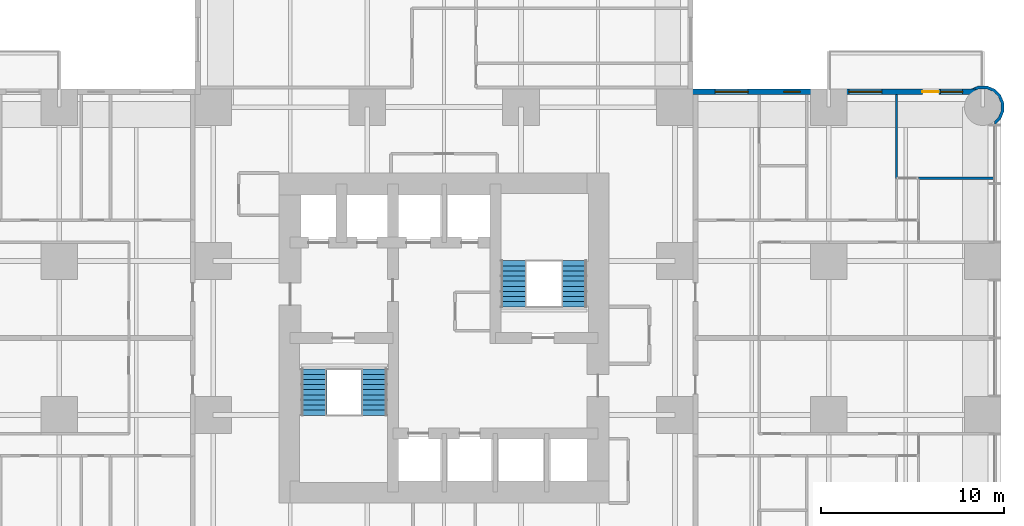
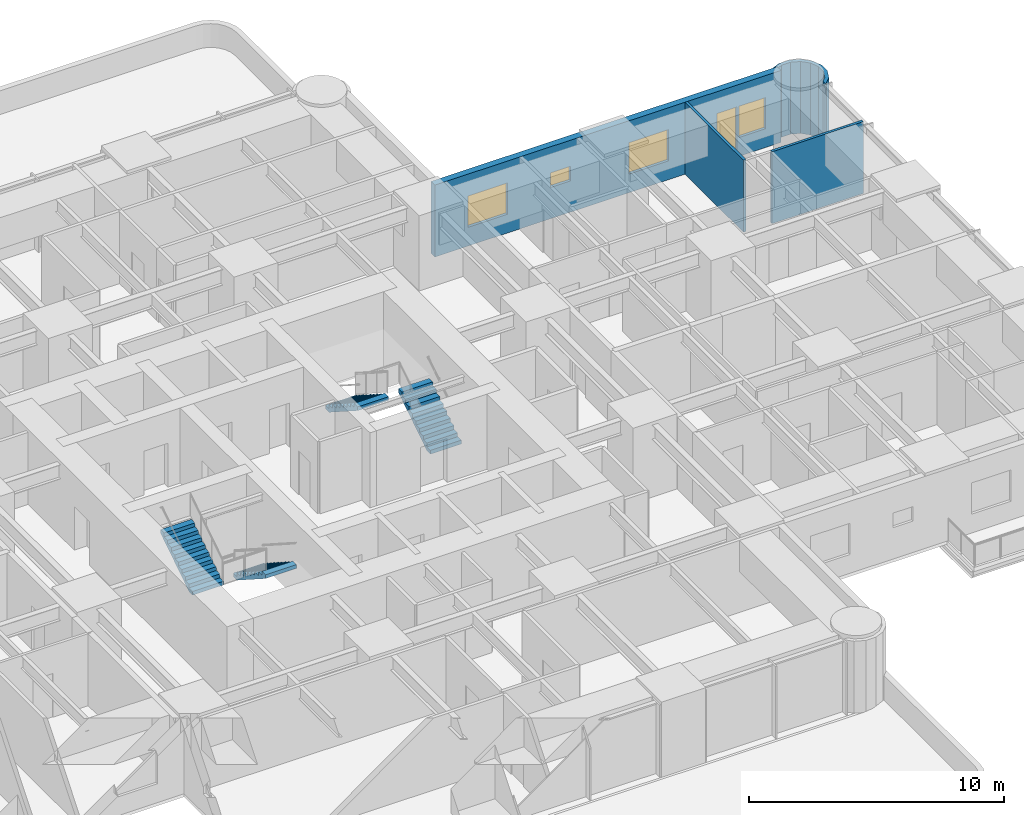
# One storey, part 12 of 14: 4 stair flights, 4 walls, 4 windows, 1 door, 5 openings, 2 elements without a shape of their own.
"""IFC4 building model written with IfcOpenShell, lengths in metres."""

from ifc_helpers import new_model, si_unit, direction, frame, frame_2d, origin, place, context, subcontext, project, spatial, polyline, rectangle, outline, extrude, material, layer, layer_set, type_object, element, fill, aggregate, save


model = new_model("IFC4")

# Units and contexts
model_context = context("Model", 3, precision=1e-05, world=origin(), true_north=direction((0.0, 1.0)))
body_context = subcontext(model_context, "Body", "Model", "MODEL_VIEW")
ifc_project = project(units=[si_unit("LENGTHUNIT", "METRE"), si_unit("AREAUNIT", "SQUARE_METRE"), si_unit("VOLUMEUNIT", "CUBIC_METRE"), si_unit("PLANEANGLEUNIT", "RADIAN"), si_unit("MASSUNIT", "GRAM", prefix="KILO")], contexts=[model_context])

# Site, building, storey
site_placement = place(None, origin())
site = spatial("IfcSite", under=ifc_project, at=site_placement, CompositionType="ELEMENT")
building_placement = place(site_placement, origin())
building = spatial("IfcBuilding", under=site, at=building_placement, Name="Torre Alcanfor", CompositionType="ELEMENT")
storey_placement = place(building_placement, frame((0.0, 0.0, 108.89990234375)))
storey = spatial("IfcBuildingStorey", under=building, at=storey_placement, Name="L27", CompositionType="ELEMENT", Elevation=108.89990234375)

# Walls
ifc_material_1 = material(Name="Gypsum board on steel studs", Category="steel")
ifc_layer_1 = layer(ifc_material_1, 0.1201171875)
ifc_layer_set_1 = layer_set([ifc_layer_1], Name="Apartment partition 120")
wall_type_1 = type_object("IfcWallType", Name="Apartment partition 120", PredefinedType="PARTITIONING", material=ifc_layer_set_1)
wall_1_placement = place(storey_placement, frame((54.10009765625, 38.114013671875, 0.0), z_axis=(0.0, 0.0, 1.0), x_axis=(0.0, 1.0, 0.0)))
element("IfcWall", 1, at=wall_1_placement, inside=storey, type_object=wall_type_1, Name="Partition L27-E1-BED3 / L27-E1-MASTER", PredefinedType="PARTITIONING", context=body_context, shape_type="SweptSolid", body=[
    extrude(rectangle(XDim=4.5859375, YDim=0.1201171875, at=frame_2d((2.29296875, 0.0))), origin(), (0.0, 0.0, 1.0), 3.4501953125),
])
wall_2_placement = place(storey_placement, frame((59.449951171875, 38.114013671875, 0.0), z_axis=(0.0, 0.0, 1.0), x_axis=(-1.0, 0.0, 0.0)))
element("IfcWall", 2, at=wall_2_placement, inside=storey, type_object=wall_type_1, Name="Partition L27-E1-BED2 / L27-E1-MASTER", PredefinedType="PARTITIONING", context=body_context, shape_type="SweptSolid", body=[
    extrude(rectangle(XDim=4.14990234375, YDim=0.1201171875, at=frame_2d((2.074951171875, 0.0))), origin(), (0.0, 0.0, 1.0), 3.4501953125),
])

# Wall, openings, door, windows
ifc_material_2 = material(Name="Limestone cladding", Category="masonry")
ifc_layer_2 = layer(ifc_material_2, 0.0400390625, Name="Facing")
ifc_material_3 = material(Name="Ventilated air cavity")
ifc_layer_3 = layer(ifc_material_3, 0.02001953125, ventilated=True, Name="Ventilated joint")
ifc_material_4 = material(Name="Mineral wool insulation", Category="insulation")
ifc_layer_4 = layer(ifc_material_4, 0.10009765625, Name="Insulation")
ifc_material_5 = material(Name="Concrete f'c 35 MPa", Category="concrete")
ifc_layer_5 = layer(ifc_material_5, 0.139892578125, Name="Backing")
ifc_layer_set_2 = layer_set([ifc_layer_2, ifc_layer_3, ifc_layer_4, ifc_layer_5], Name="External wall stone-clad 300")
wall_type_2 = type_object("IfcWallType", Name="External wall stone-clad 300", PredefinedType="SOLIDWALL", material=ifc_layer_set_2)
wall_3_placement = place(storey_placement, frame((58.39990234375, 42.85009765625, 0.0), z_axis=(0.0, 0.0, 1.0), x_axis=(-1.0, 0.0, 0.0)))
wall_3 = element("IfcWall", 3, at=wall_3_placement, inside=storey, type_object=wall_type_2, Name="External wall L27 9", PredefinedType="SOLIDWALL", context=body_context, shape_type="SweptSolid", body=[
    extrude(rectangle(XDim=15.699951171875, YDim=0.300048828125, at=frame_2d((7.85009765625, 0.0))), origin(), (0.0, 0.0, 1.0), 3.4501953125),
])
opening_1_placement = place(wall_3_placement, frame((12.39990234375, 0.0, 0.89990234375)))
opening_1 = element("IfcOpeningElement", 4, at=opening_1_placement, cuts=wall_3, Name="Opening W2", PredefinedType="OPENING", context=body_context, shape_type="SweptSolid", body=[
    extrude(rectangle(XDim=1.800048828125, YDim=1.5, at=frame_2d((0.89990234375, 0.75))), frame((0.0, 0.159912109375, 0.0), z_axis=(0.0, -1.0, 0.0), x_axis=(1.0, 0.0, 0.0)), (0.0, 0.0, 1.0), 0.320068359375),
])
opening_2_placement = place(wall_3_placement, frame((9.550048828125, 0.0, 1.5)))
opening_2 = element("IfcOpeningElement", 5, at=opening_2_placement, cuts=wall_3, Name="Opening W3", PredefinedType="OPENING", context=body_context, shape_type="SweptSolid", body=[
    extrude(rectangle(XDim=0.89990234375, YDim=0.699951171875, at=frame_2d((0.449951171875, 0.35009765625))), frame((0.0, 0.159912109375, 0.0), z_axis=(0.0, -1.0, 0.0), x_axis=(1.0, 0.0, 0.0)), (0.0, 0.0, 1.0), 0.320068359375),
])
opening_3_placement = place(wall_3_placement, frame((5.10009765625, 0.0, 0.89990234375)))
opening_3 = element("IfcOpeningElement", 6, at=opening_3_placement, cuts=wall_3, Name="Opening W2", PredefinedType="OPENING", context=body_context, shape_type="SweptSolid", body=[
    extrude(rectangle(XDim=1.800048828125, YDim=1.5, at=frame_2d((0.89990234375, 0.75))), frame((0.0, 0.159912109375, 0.0), z_axis=(0.0, -1.0, 0.0), x_axis=(1.0, 0.0, 0.0)), (0.0, 0.0, 1.0), 0.320068359375),
])
opening_4_placement = place(wall_3_placement, frame((2.0, 0.0, 0.0)))
opening_4 = element("IfcOpeningElement", 7, at=opening_4_placement, cuts=wall_3, Name="Opening D-B1", PredefinedType="OPENING", context=body_context, shape_type="SweptSolid", body=[
    extrude(rectangle(XDim=0.89990234375, YDim=2.39990234375, at=frame_2d((0.449951171875, 1.199951171875))), frame((0.0, 0.159912109375, 0.0), z_axis=(0.0, -1.0, 0.0), x_axis=(1.0, 0.0, 0.0)), (0.0, 0.0, 1.0), 0.320068359375),
])
opening_5_placement = place(wall_3_placement, frame((0.699951171875, 0.0, 0.89990234375)))
opening_5 = element("IfcOpeningElement", 8, at=opening_5_placement, cuts=wall_3, Name="Opening W4", PredefinedType="OPENING", context=body_context, shape_type="SweptSolid", body=[
    extrude(rectangle(XDim=1.199951171875, YDim=1.5, at=frame_2d((0.60009765625, 0.75))), frame((0.0, 0.159912109375, 0.0), z_axis=(0.0, -1.0, 0.0), x_axis=(1.0, 0.0, 0.0)), (0.0, 0.0, 1.0), 0.320068359375),
])
ifc_material_6 = material(Name="Aluminium and glass", Category="aluminium")
door_type = type_object("IfcDoorType", Name="Balcony door glazed 900x2400", OperationType="SINGLE_SWING_LEFT", PredefinedType="DOOR", material=ifc_material_6)
door_placement = place(opening_4_placement, origin())
door = element("IfcDoor", 9, at=door_placement, inside=storey, type_object=door_type, Name="Balcony door L27-E1", OperationType="SINGLE_SWING_RIGHT", OverallHeight=2.39990234375, OverallWidth=0.89990234375, PredefinedType="DOOR", context=body_context, shape_type="SweptSolid", body=[
    extrude(rectangle(XDim=0.89990234375, YDim=2.39990234375, at=frame_2d((0.449951171875, 1.199951171875))), frame((0.0, 0.02490234375, 0.0), z_axis=(0.0, -1.0, 0.0), x_axis=(1.0, 0.0, 0.0)), (0.0, 0.0, 1.0), 0.050048828125),
])
fill(opening_4, door)
ifc_material_7 = material(Name="Aluminium frame with clear double glazing", Category="aluminium")
window_type_1 = type_object("IfcWindowType", Name="Window bathroom 900x700", PartitioningType="SINGLE_PANEL", PredefinedType="WINDOW", material=ifc_material_7)
window_1_placement = place(opening_2_placement, origin())
window_1 = element("IfcWindow", 10, at=window_1_placement, inside=storey, type_object=window_type_1, Name="Window W3 L27-E1", OverallHeight=0.699951171875, OverallWidth=0.89990234375, PartitioningType="SINGLE_PANEL", PredefinedType="WINDOW", context=body_context, shape_type="SweptSolid", body=[
    extrude(rectangle(XDim=0.89990234375, YDim=0.699951171875, at=frame_2d((0.449951171875, 0.35009765625))), frame((0.0, 0.030029296875, 0.0), z_axis=(0.0, -1.0, 0.0), x_axis=(1.0, 0.0, 0.0)), (0.0, 0.0, 1.0), 0.06005859375),
])
fill(opening_2, window_1)
ifc_material_8 = material(Name="Aluminium frame with clear double glazing", Category="aluminium")
window_type_2 = type_object("IfcWindowType", Name="Window bedroom 1200x1500", PartitioningType="SINGLE_PANEL", PredefinedType="WINDOW", material=ifc_material_8)
window_2_placement = place(opening_5_placement, origin())
window_2 = element("IfcWindow", 11, at=window_2_placement, inside=storey, type_object=window_type_2, Name="Window W4 L27-E1", OverallHeight=1.5, OverallWidth=1.199951171875, PartitioningType="SINGLE_PANEL", PredefinedType="WINDOW", context=body_context, shape_type="SweptSolid", body=[
    extrude(rectangle(XDim=1.199951171875, YDim=1.5, at=frame_2d((0.60009765625, 0.75))), frame((0.0, 0.030029296875, 0.0), z_axis=(0.0, -1.0, 0.0), x_axis=(1.0, 0.0, 0.0)), (0.0, 0.0, 1.0), 0.06005859375),
])
fill(opening_5, window_2)
ifc_material_9 = material(Name="Aluminium frame with clear double glazing", Category="aluminium")
window_type_3 = type_object("IfcWindowType", Name="Window bedroom 1800x1500", PartitioningType="SINGLE_PANEL", PredefinedType="WINDOW", material=ifc_material_9)
window_3_placement = place(opening_1_placement, origin())
window_3 = element("IfcWindow", 12, at=window_3_placement, inside=storey, type_object=window_type_3, Name="Window W2 L27-E1", OverallHeight=1.5, OverallWidth=1.800048828125, PartitioningType="SINGLE_PANEL", PredefinedType="WINDOW", context=body_context, shape_type="SweptSolid", body=[
    extrude(rectangle(XDim=1.800048828125, YDim=1.5, at=frame_2d((0.89990234375, 0.75))), frame((0.0, 0.030029296875, 0.0), z_axis=(0.0, -1.0, 0.0), x_axis=(1.0, 0.0, 0.0)), (0.0, 0.0, 1.0), 0.06005859375),
])
fill(opening_1, window_3)
window_4_placement = place(opening_3_placement, origin())
window_4 = element("IfcWindow", 13, at=window_4_placement, inside=storey, type_object=window_type_3, Name="Window W2 L27-E1", OverallHeight=1.5, OverallWidth=1.800048828125, PartitioningType="SINGLE_PANEL", PredefinedType="WINDOW", context=body_context, shape_type="SweptSolid", body=[
    extrude(rectangle(XDim=1.800048828125, YDim=1.5, at=frame_2d((0.89990234375, 0.75))), frame((0.0, 0.030029296875, 0.0), z_axis=(0.0, -1.0, 0.0), x_axis=(1.0, 0.0, 0.0)), (0.0, 0.0, 1.0), 0.06005859375),
])
fill(opening_3, window_4)

# Wall
ifc_layer_6 = layer(ifc_material_2, 0.0400390625, Name="Facing")
ifc_layer_7 = layer(ifc_material_3, 0.02001953125, ventilated=True, Name="Ventilated joint")
ifc_layer_8 = layer(ifc_material_4, 0.10009765625, Name="Insulation")
ifc_layer_9 = layer(ifc_material_5, 0.139892578125, Name="Backing")
ifc_layer_set_3 = layer_set([ifc_layer_6, ifc_layer_7, ifc_layer_8, ifc_layer_9], Name="Rounded corner pier stone-clad 300")
wall_type_3 = type_object("IfcWallType", Name="Rounded corner pier stone-clad 300", PredefinedType="SOLIDWALL", material=ifc_layer_set_3)
wall_4_placement = place(storey_placement, frame((59.443275148, 41.132476465, 0.0), z_axis=(0.0, 0.0, 1.0), x_axis=(0.831199417842, 0.555974394895, 0.0)))
element("IfcWall", 14, at=wall_4_placement, inside=storey, type_object=wall_type_3, Name="Corner pier L27 18", PredefinedType="SOLIDWALL", context=body_context, shape_type="SweptSolid", body=[
    extrude(outline(polyline([(0.7835193401086837, 0.24205256771245343), (1.0400602596279205, 0.6255894084649389), (1.1303371430229154, 1.0780414765952286), (1.0404992876319876, 1.5308372255281877), (0.7843213833243519, 1.9145502315306397), (0.40078454257186635, 2.1710911510498763), (-0.009157036452224432, 2.2529065499845613), (0.17104439983783215, 2.132373038591396), (0.11338764744446561, 2.06637397350674), (0.3385983594237434, 2.0214740812361995), (0.6695764479249623, 1.8000887692066359), (0.8906920485778681, 1.4689066769605825), (0.9682334735001796, 1.0780867111650443), (0.8904431898142434, 0.6877755916130619), (0.6689221418484262, 0.3565945735664713), (0.3378757855386265, 0.13568190245893724), (0.06220208349567317, 0.08098630463678677), (-0.03579926247940035, -0.0655288271215701), (0.0045837170495650476, -0.09254027843602942), (0.3998063341062316, -0.014125336595182225), (0.7835193401086837, 0.24205256771245343)])), origin(), (0.0, 0.0, 1.0), 3.4501953125),
])

# Stair, stair flights
ifc_material_10 = material(Name="Concrete f'c 35 MPa", Category="concrete")
stair_type_1 = type_object("IfcStairType", Name="Exit stair S1 1400 wide", PredefinedType="HALF_TURN_STAIR", material=ifc_material_10)
stair_1_placement = place(storey_placement, origin())
stair_1 = element("IfcStair", 15, at=stair_1_placement, inside=storey, type_object=stair_type_1, Name="Stair S1 L27 to L28", PredefinedType="HALF_TURN_STAIR")
ifc_material_11 = material(Name="Concrete f'c 35 MPa", Category="concrete")
stair_flight_type = type_object("IfcStairFlightType", Name="Stair flight 1400", PredefinedType="STRAIGHT", material=ifc_material_11)
stair_flight_1_placement = place(storey_placement, frame((25.60009765625, 27.699951171875, 0.0), z_axis=(0.0, 0.0, 1.0), x_axis=(0.0, -1.0, 0.0)))
stair_flight_1 = element("IfcStairFlight", 16, at=stair_flight_1_placement, type_object=stair_flight_type, Name="S1 flight 1", NumberOfRisers=10, NumberOfTreads=9, PredefinedType="STRAIGHT", RiserHeight=0.18, TreadLength=0.28, context=body_context, shape_type="SweptSolid", body=[
    extrude(outline(polyline([(0.0, 0.0), (0.0, 0.179931640625), (0.280029296875, 0.179931640625), (0.280029296875, 0.360107421875), (0.56005859375, 0.360107421875), (0.56005859375, 0.5400390625), (0.840087890625, 0.5400390625), (0.840087890625, 0.719970703125), (1.1201171875, 0.719970703125), (1.1201171875, 0.89990234375), (1.39990234375, 0.89990234375), (1.39990234375, 1.080078125), (1.679931640625, 1.080078125), (1.679931640625, 1.260009765625), (1.9599609375, 1.260009765625), (1.9599609375, 1.43994140625), (2.239990234375, 1.43994140625), (2.239990234375, 1.6201171875), (2.52001953125, 1.6201171875), (2.52001953125, 1.800048828125), (2.52001953125, 1.44189453125), (0.277099609375, 0.0), (0.0, 0.0)])), frame((0.0, 0.699951171875, 0.0), z_axis=(0.0, -1.0, 0.0), x_axis=(1.0, 0.0, 0.0)), (0.0, 0.0, 1.0), 1.39990234375),
])
stair_flight_2_placement = place(storey_placement, frame((22.300048828125, 25.179931640625, 1.800048828125), z_axis=(0.0, 0.0, 1.0), x_axis=(0.0, 1.0, 0.0)))
stair_flight_2 = element("IfcStairFlight", 17, at=stair_flight_2_placement, type_object=stair_flight_type, Name="S1 flight 2", NumberOfRisers=10, NumberOfTreads=9, PredefinedType="STRAIGHT", RiserHeight=0.18, TreadLength=0.28, context=body_context, shape_type="SweptSolid", body=[
    extrude(outline(polyline([(0.0, 0.0), (0.0, 0.179931640625), (0.280029296875, 0.179931640625), (0.280029296875, 0.360107421875), (0.56005859375, 0.360107421875), (0.56005859375, 0.5400390625), (0.840087890625, 0.5400390625), (0.840087890625, 0.719970703125), (1.1201171875, 0.719970703125), (1.1201171875, 0.89990234375), (1.39990234375, 0.89990234375), (1.39990234375, 1.080078125), (1.679931640625, 1.080078125), (1.679931640625, 1.260009765625), (1.9599609375, 1.260009765625), (1.9599609375, 1.43994140625), (2.239990234375, 1.43994140625), (2.239990234375, 1.6201171875), (2.52001953125, 1.6201171875), (2.52001953125, 1.800048828125), (2.52001953125, 1.44189453125), (0.277099609375, 0.0), (0.0, 0.0)])), frame((0.0, 0.699951171875, 0.0), z_axis=(0.0, -1.0, 0.0), x_axis=(1.0, 0.0, 0.0)), (0.0, 0.0, 1.0), 1.39990234375),
])
aggregate(stair_1, [stair_flight_1, stair_flight_2])

ifc_material_12 = material(Name="Concrete f'c 35 MPa", Category="concrete")
stair_type_2 = type_object("IfcStairType", Name="Exit stair S2 1400 wide", PredefinedType="HALF_TURN_STAIR", material=ifc_material_12)
stair_2_placement = place(storey_placement, origin())
stair_2 = element("IfcStair", 18, at=stair_2_placement, inside=storey, type_object=stair_type_2, Name="Stair S2 L27 to L28", PredefinedType="HALF_TURN_STAIR")
stair_flight_3_placement = place(storey_placement, frame((36.5, 31.10009765625, 0.0), z_axis=(0.0, 0.0, 1.0), x_axis=(0.0, 1.0, 0.0)))
stair_flight_3 = element("IfcStairFlight", 19, at=stair_flight_3_placement, type_object=stair_flight_type, Name="S2 flight 1", NumberOfRisers=10, NumberOfTreads=9, PredefinedType="STRAIGHT", RiserHeight=0.18, TreadLength=0.28, context=body_context, shape_type="SweptSolid", body=[
    extrude(outline(polyline([(0.0, 0.0), (0.0, 0.179931640625), (0.280029296875, 0.179931640625), (0.280029296875, 0.360107421875), (0.56005859375, 0.360107421875), (0.56005859375, 0.5400390625), (0.840087890625, 0.5400390625), (0.840087890625, 0.719970703125), (1.1201171875, 0.719970703125), (1.1201171875, 0.89990234375), (1.39990234375, 0.89990234375), (1.39990234375, 1.080078125), (1.679931640625, 1.080078125), (1.679931640625, 1.260009765625), (1.9599609375, 1.260009765625), (1.9599609375, 1.43994140625), (2.239990234375, 1.43994140625), (2.239990234375, 1.6201171875), (2.52001953125, 1.6201171875), (2.52001953125, 1.800048828125), (2.52001953125, 1.44189453125), (0.277099609375, 0.0), (0.0, 0.0)])), frame((0.0, 0.699951171875, 0.0), z_axis=(0.0, -1.0, 0.0), x_axis=(1.0, 0.0, 0.0)), (0.0, 0.0, 1.0), 1.39990234375),
])
stair_flight_4_placement = place(storey_placement, frame((33.199951171875, 33.6201171875, 1.800048828125), z_axis=(0.0, 0.0, 1.0), x_axis=(0.0, -1.0, 0.0)))
stair_flight_4 = element("IfcStairFlight", 20, at=stair_flight_4_placement, type_object=stair_flight_type, Name="S2 flight 2", NumberOfRisers=10, NumberOfTreads=9, PredefinedType="STRAIGHT", RiserHeight=0.18, TreadLength=0.28, context=body_context, shape_type="SweptSolid", body=[
    extrude(outline(polyline([(0.0, 0.0), (0.0, 0.179931640625), (0.280029296875, 0.179931640625), (0.280029296875, 0.360107421875), (0.56005859375, 0.360107421875), (0.56005859375, 0.5400390625), (0.840087890625, 0.5400390625), (0.840087890625, 0.719970703125), (1.1201171875, 0.719970703125), (1.1201171875, 0.89990234375), (1.39990234375, 0.89990234375), (1.39990234375, 1.080078125), (1.679931640625, 1.080078125), (1.679931640625, 1.260009765625), (1.9599609375, 1.260009765625), (1.9599609375, 1.43994140625), (2.239990234375, 1.43994140625), (2.239990234375, 1.6201171875), (2.52001953125, 1.6201171875), (2.52001953125, 1.800048828125), (2.52001953125, 1.44189453125), (0.277099609375, 0.0), (0.0, 0.0)])), frame((0.0, 0.699951171875, 0.0), z_axis=(0.0, -1.0, 0.0), x_axis=(1.0, 0.0, 0.0)), (0.0, 0.0, 1.0), 1.39990234375),
])
aggregate(stair_2, [stair_flight_3, stair_flight_4])

save(model, "model.ifc")
